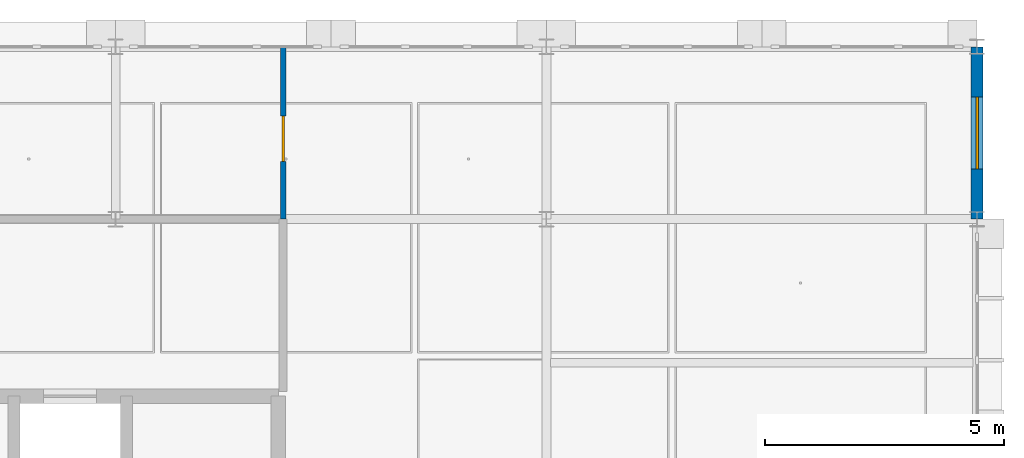
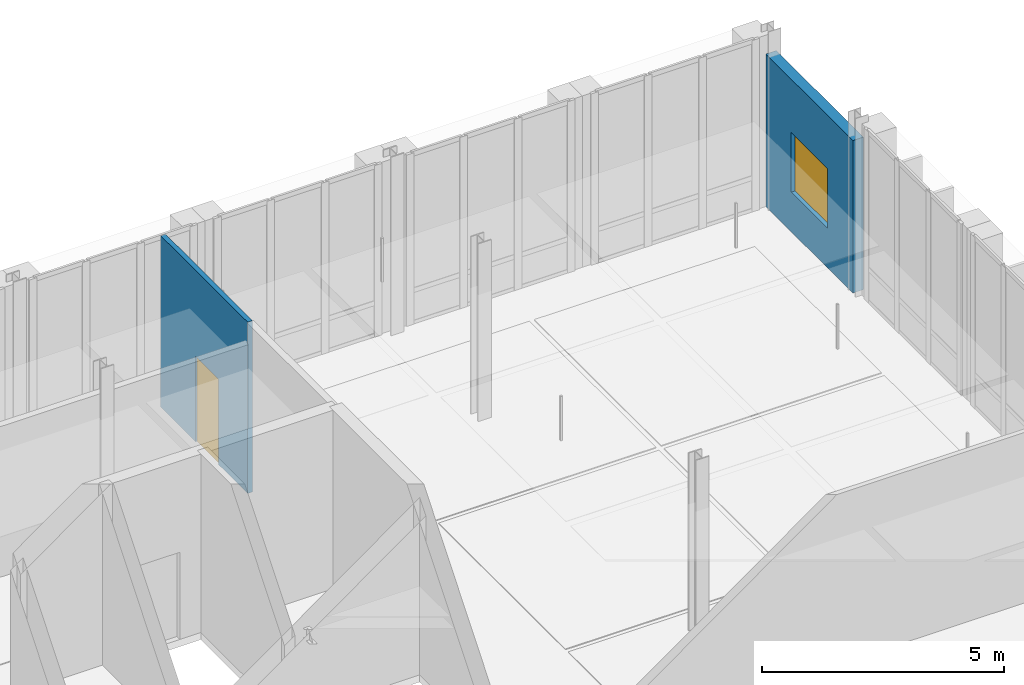
# One storey, part 51 of 89: 2 walls, 1 door, 1 window, 2 openings.
"""IFC4 building model written with IfcOpenShell, lengths in metres."""

from ifc_helpers import new_model, si_unit, direction, frame, frame_2d, origin, place, context, subcontext, project, spatial, rectangle, extrude, material, layer, layer_set, type_object, element, fill, save


model = new_model("IFC4")

# Units and contexts
model_context = context("Model", 3, precision=1e-05, world=origin(), true_north=direction((0.0, 1.0)))
body_context = subcontext(model_context, "Body", "Model", "MODEL_VIEW")
ifc_project = project(units=[si_unit("LENGTHUNIT", "METRE"), si_unit("AREAUNIT", "SQUARE_METRE"), si_unit("VOLUMEUNIT", "CUBIC_METRE"), si_unit("PLANEANGLEUNIT", "RADIAN"), si_unit("MASSUNIT", "GRAM", prefix="KILO"), si_unit("THERMODYNAMICTEMPERATUREUNIT", "KELVIN"), si_unit("POWERUNIT", "WATT")], contexts=[model_context])

# Site, building, storey
site_placement = place(None, origin())
site = spatial("IfcSite", under=ifc_project, at=site_placement, CompositionType="ELEMENT")
building_placement = place(site_placement, origin())
building = spatial("IfcBuilding", under=site, at=building_placement, Name="Tallowbark Science Centre", CompositionType="ELEMENT")
storey_placement = place(building_placement, frame((0.0, 0.0, 14.39990234375)))
storey = spatial("IfcBuildingStorey", under=building, at=storey_placement, Name="L03", CompositionType="ELEMENT", Elevation=14.39990234375)

# Wall, opening, window
ifc_material_1 = material(Name="Insulated Precast Concrete Panel Grade N40 (40 MPa)", Category="concrete")
ifc_layer_1 = layer(ifc_material_1, 0.25)
ifc_layer_set_1 = layer_set([ifc_layer_1], Name="Insulated Precast Concrete Panel Grade N40 (40 MPa)")
wall_type_1 = type_object("IfcWallType", Name="EWL-PRC-250", PredefinedType="STANDARD", material=ifc_layer_set_1)
wall_1_placement = place(storey_placement, frame((157.5, 108.0, 0.0), z_axis=(0.0, 0.0, 1.0), x_axis=(0.0, 1.0, 0.0)))
wall_1 = element("IfcWall", 1, at=wall_1_placement, inside=storey, type_object=wall_type_1, Name="Exterior Wall OBS-E-L03-108", PredefinedType="STANDARD", context=body_context, shape_type="SweptSolid", body=[
    extrude(rectangle(XDim=3.60009765625, YDim=0.25, at=frame_2d((1.800048828125, 0.0))), origin(), (0.0, 0.0, 1.0), 3.84619140625),
])
opening_1_placement = place(wall_1_placement, frame((1.050048828125, 0.0, 1.0)))
opening_1 = element("IfcOpeningElement", 2, at=opening_1_placement, cuts=wall_1, Name="Opening W-08", PredefinedType="OPENING", context=body_context, shape_type="SweptSolid", body=[
    extrude(rectangle(XDim=1.5, YDim=1.5, at=frame_2d((0.75, 0.75))), frame((0.0, 0.135009765625, 0.0), z_axis=(0.0, -1.0, 0.0), x_axis=(1.0, 0.0, 0.0)), (0.0, 0.0, 1.0), 0.27001953125),
])
ifc_material_2 = material(Name="Thermally Broken Aluminium and Low-E Double Glazing", Category="aluminium")
window_type = type_object("IfcWindowType", Name="WIN-F150x150", PartitioningType="SINGLE_PANEL", PredefinedType="WINDOW", material=ifc_material_2)
window_placement = place(opening_1_placement, origin())
window = element("IfcWindow", 3, at=window_placement, inside=storey, type_object=window_type, Name="Window WIN-L03-0047", OverallHeight=1.5, OverallWidth=1.5, PartitioningType="SINGLE_PANEL", PredefinedType="WINDOW", context=body_context, shape_type="SweptSolid", body=[
    extrude(rectangle(XDim=1.5, YDim=1.5, at=frame_2d((0.75, 0.75))), frame((0.0, 0.030029296875, 0.0), z_axis=(0.0, -1.0, 0.0), x_axis=(1.0, 0.0, 0.0)), (0.0, 0.0, 1.0), 0.06005859375),
])
fill(opening_1, window)

# Wall, opening, door
ifc_material_3 = material(Name="116 mm Acoustic Steel Stud and 16 mm Fire-Rated Plasterboard", Category="steel")
ifc_layer_2 = layer(ifc_material_3, 0.115966796875)
ifc_layer_set_2 = layer_set([ifc_layer_2], Name="116 mm Acoustic Steel Stud and 16 mm Fire-Rated Plasterboard")
wall_type_2 = type_object("IfcWallType", Name="PTW-116", PredefinedType="PARTITIONING", material=ifc_layer_set_2)
wall_2_placement = place(storey_placement, frame((143.0, 108.0, 0.0), z_axis=(0.0, 0.0, 1.0), x_axis=(0.0, 1.0, 0.0)))
wall_2 = element("IfcWall", 4, at=wall_2_placement, inside=storey, type_object=wall_type_2, Name="Interior Partition PTW-L03-0281", PredefinedType="PARTITIONING", context=body_context, shape_type="SweptSolid", body=[
    extrude(rectangle(XDim=3.60009765625, YDim=0.115966796875, at=frame_2d((1.800048828125, 0.0))), origin(), (0.0, 0.0, 1.0), 4.320068359375),
])
opening_2_placement = place(wall_2_placement, frame((1.199951171875, 0.0, 0.0)))
opening_2 = element("IfcOpeningElement", 5, at=opening_2_placement, cuts=wall_2, Name="Opening ID-04", PredefinedType="OPENING", context=body_context, shape_type="SweptSolid", body=[
    extrude(rectangle(XDim=0.949951171875, YDim=2.14990234375, at=frame_2d((0.47509765625, 1.074951171875))), frame((0.0, 0.06787109375, 0.0), z_axis=(0.0, -1.0, 0.0), x_axis=(1.0, 0.0, 0.0)), (0.0, 0.0, 1.0), 0.135986328125),
])
ifc_material_4 = material(Name="Solid-Core Timber Veneer Leaf", Category="wood")
door_type = type_object("IfcDoorType", Name="IDR-OFF-095", OperationType="NOTDEFINED", PredefinedType="DOOR", material=ifc_material_4)
door_placement = place(opening_2_placement, origin())
door = element("IfcDoor", 6, at=door_placement, inside=storey, type_object=door_type, Name="Interior Door IDR-L03-0125", OperationType="SINGLE_SWING_RIGHT", OverallHeight=2.14990234375, OverallWidth=0.949951171875, PredefinedType="DOOR", context=body_context, shape_type="SweptSolid", body=[
    extrude(rectangle(XDim=0.949951171875, YDim=2.14990234375, at=frame_2d((0.47509765625, 1.074951171875))), frame((0.0, 0.02490234375, 0.0), z_axis=(0.0, -1.0, 0.0), x_axis=(1.0, 0.0, 0.0)), (0.0, 0.0, 1.0), 0.050048828125),
])
fill(opening_2, door)

save(model, "model.ifc")
